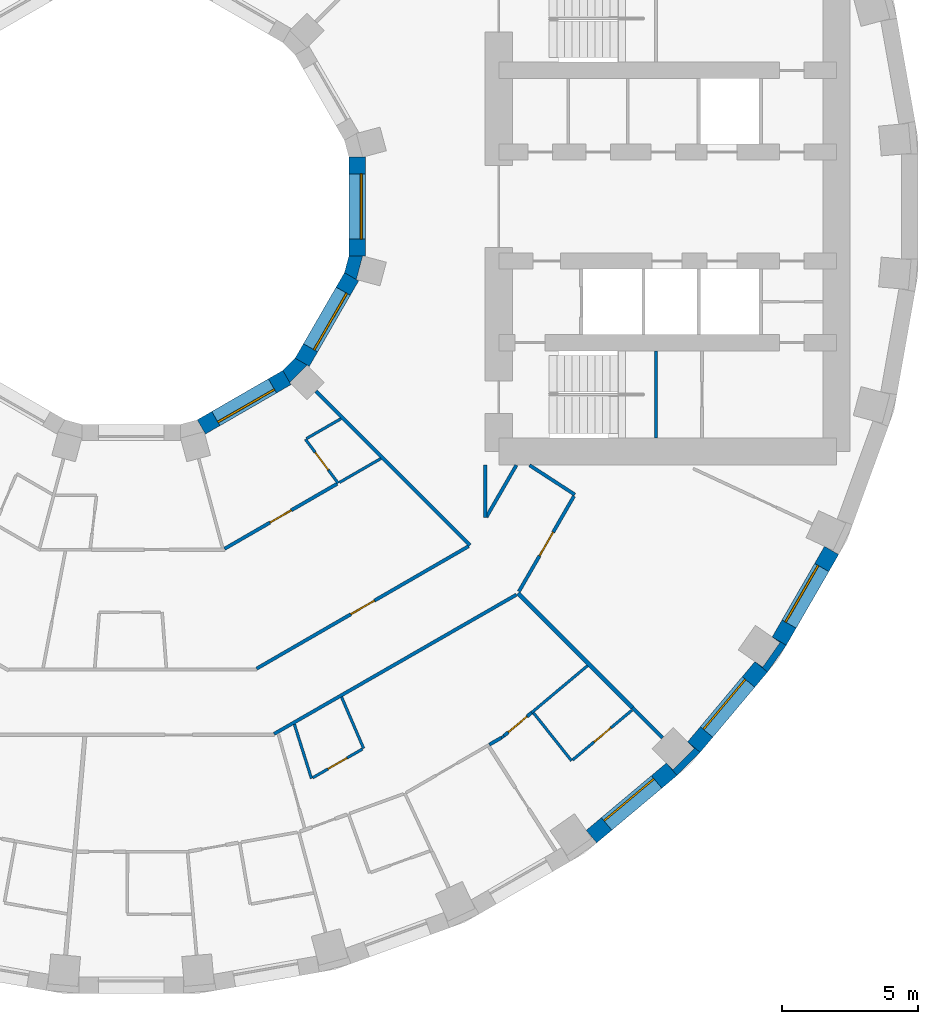
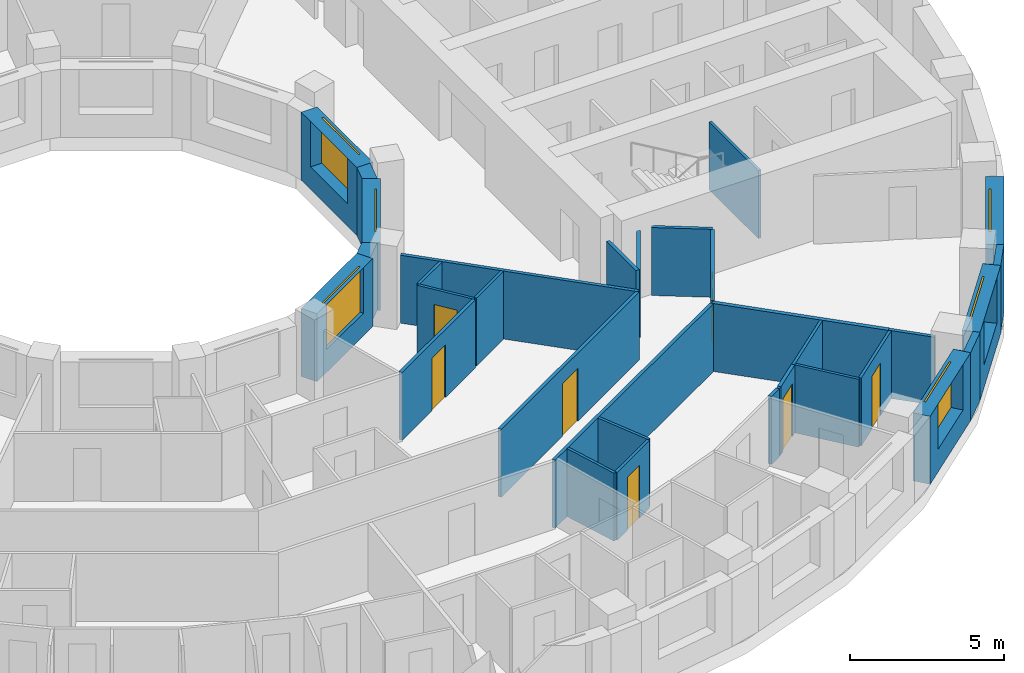
# One storey, part 8 of 15: 33 walls, 7 doors, 6 windows, 13 openings.
"""IFC4 building model written with IfcOpenShell, lengths in metres."""

from ifc_helpers import new_model, si_unit, direction, frame, frame_2d, origin, place, context, subcontext, project, spatial, polyline, rectangle, outline, extrude, material, layer, layer_set, type_object, element, fill, save


model = new_model("IFC4")

# Units and contexts
model_context = context("Model", 3, precision=1e-05, world=origin(), true_north=direction((0.0, 1.0)))
body_context = subcontext(model_context, "Body", "Model", "MODEL_VIEW")
ifc_project = project(units=[si_unit("LENGTHUNIT", "METRE"), si_unit("AREAUNIT", "SQUARE_METRE"), si_unit("VOLUMEUNIT", "CUBIC_METRE"), si_unit("PLANEANGLEUNIT", "RADIAN"), si_unit("MASSUNIT", "GRAM", prefix="KILO")], contexts=[model_context])

# Site, building, storey
site_placement = place(None, origin())
site = spatial("IfcSite", under=ifc_project, at=site_placement, CompositionType="ELEMENT")
building_placement = place(site_placement, origin())
building = spatial("IfcBuilding", under=site, at=building_placement, Name="Saqina Gate Tower", CompositionType="ELEMENT")
storey_placement = place(building_placement, frame((0.0, 0.0, 79.10009765625)))
storey = spatial("IfcBuildingStorey", under=building, at=storey_placement, Name="L22", CompositionType="ELEMENT", Elevation=79.10009765625)

# Walls
ifc_material_1 = material(Name="Brick masonry (red)", Category="masonry")
wall_type_1 = type_object("IfcWallType", Name="BRICK PIER COPING RED", PredefinedType="SOLIDWALL", material=ifc_material_1)
wall_1_placement = place(storey_placement, origin())
element("IfcWall", 1, at=wall_1_placement, inside=storey, type_object=wall_type_1, Name="Pier cap L22 column 32", PredefinedType="SOLIDWALL", context=body_context, shape_type="SweptSolid", body=[
    extrude(outline(polyline([(20.894775390625, -20.04296875), (20.43505859375, -19.6572265625), (20.682861328125, -19.905029296875), (19.905029296875, -20.682861328125), (19.6572265625, -20.43505859375), (20.04296875, -20.894775390625), (20.894775390625, -20.04296875)])), origin(), (0.0, 0.0, 1.0), 2.699951171875),
])
wall_2_placement = place(storey_placement, origin())
element("IfcWall", 2, at=wall_2_placement, inside=storey, type_object=wall_type_1, Name="Pier cap L22 column 33", PredefinedType="SOLIDWALL", context=body_context, shape_type="SweptSolid", body=[
    extrude(outline(polyline([(23.36669921875, -17.096923828125), (24.0576171875, -16.110107421875), (23.5380859375, -15.81005859375), (23.8251953125, -16.010986328125), (23.194091796875, -16.912109375), (22.9072265625, -16.711181640625), (23.36669921875, -17.096923828125)])), origin(), (0.0, 0.0, 1.0), 2.699951171875),
])

# Wall, opening, window
ifc_material_2 = material(Name="Brick masonry (red)", Category="masonry")
ifc_layer_1 = layer(ifc_material_2, 0.60009765625)
ifc_layer_set_1 = layer_set([ifc_layer_1], Name="FW-BRICK-RED")
wall_type_2 = type_object("IfcWallType", Name="FW-BRICK-RED", PredefinedType="SOLIDWALL", material=ifc_layer_set_1)
wall_3_placement = place(storey_placement, frame((16.904052734375, -23.136962890625, 0.0), z_axis=(0.0, 0.0, 1.0), x_axis=(0.766026164483, 0.642809392687, 0.0)))
wall_3 = element("IfcWall", 3, at=wall_3_placement, inside=storey, type_object=wall_type_2, Name="Facade wall L22 facet 31", PredefinedType="SOLIDWALL", context=body_context, shape_type="SweptSolid", body=[
    extrude(rectangle(XDim=3.845947265625, YDim=0.60009765625, at=frame_2d((1.9228515625, 0.0))), origin(), (0.0, 0.0, 1.0), 2.699951171875),
])
opening_1_placement = place(wall_3_placement, frame((0.722900390625, 0.0, 0.89990234375)))
opening_1 = element("IfcOpeningElement", 4, at=opening_1_placement, cuts=wall_3, Name="Opening G06-W20", PredefinedType="OPENING", context=body_context, shape_type="SweptSolid", body=[
    extrude(rectangle(XDim=2.39990234375, YDim=1.800048828125, at=frame_2d((1.199951171875, 0.89990234375))), frame((0.0, 0.31201171875, 0.0), z_axis=(0.0, -1.0, 0.0), x_axis=(1.0, 0.0, 0.0)), (0.0, 0.0, 1.0), 0.6240234375),
])
ifc_material_3 = material(Name="Aluminium glazing", Category="aluminium")
window_type_1 = type_object("IfcWindowType", Name="WN-A", PartitioningType="SINGLE_PANEL", PredefinedType="WINDOW", material=ifc_material_3)
window_1_placement = place(opening_1_placement, origin())
window_1 = element("IfcWindow", 5, at=window_1_placement, inside=storey, type_object=window_type_1, Name="Window L22 facet 31", OverallHeight=1.800048828125, OverallWidth=2.39990234375, PartitioningType="SINGLE_PANEL", PredefinedType="WINDOW", context=body_context, shape_type="SweptSolid", body=[
    extrude(rectangle(XDim=2.39990234375, YDim=1.800048828125, at=frame_2d((1.199951171875, 0.89990234375))), frame((0.0, 0.179931640625, 0.0), z_axis=(0.0, -1.0, 0.0), x_axis=(1.0, 0.0, 0.0)), (0.0, 0.0, 1.0), 0.06005859375),
])
fill(opening_1, window_1)

wall_4_placement = place(storey_placement, frame((20.664794921875, -19.85009765625, 0.0), z_axis=(0.0, 0.0, 1.0), x_axis=(0.642809392687, 0.766026164483, 0.0)))
wall_4 = element("IfcWall", 6, at=wall_4_placement, inside=storey, type_object=wall_type_2, Name="Facade wall L22 facet 32", PredefinedType="SOLIDWALL", context=body_context, shape_type="SweptSolid", body=[
    extrude(rectangle(XDim=3.845947265625, YDim=0.60009765625, at=frame_2d((1.9228515625, 0.0))), origin(), (0.0, 0.0, 1.0), 2.699951171875),
])
opening_2_placement = place(wall_4_placement, frame((0.722900390625, 0.0, 0.89990234375)))
opening_2 = element("IfcOpeningElement", 7, at=opening_2_placement, cuts=wall_4, Name="Opening G06-W21", PredefinedType="OPENING", context=body_context, shape_type="SweptSolid", body=[
    extrude(rectangle(XDim=2.39990234375, YDim=1.800048828125, at=frame_2d((1.199951171875, 0.89990234375))), frame((0.0, 0.31201171875, 0.0), z_axis=(0.0, -1.0, 0.0), x_axis=(1.0, 0.0, 0.0)), (0.0, 0.0, 1.0), 0.6240234375),
])
window_2_placement = place(opening_2_placement, origin())
window_2 = element("IfcWindow", 8, at=window_2_placement, inside=storey, type_object=window_type_1, Name="Window L22 facet 32", OverallHeight=1.800048828125, OverallWidth=2.39990234375, PartitioningType="SINGLE_PANEL", PredefinedType="WINDOW", context=body_context, shape_type="SweptSolid", body=[
    extrude(rectangle(XDim=2.39990234375, YDim=1.800048828125, at=frame_2d((1.199951171875, 0.89990234375))), frame((0.0, 0.179931640625, 0.0), z_axis=(0.0, -1.0, 0.0), x_axis=(1.0, 0.0, 0.0)), (0.0, 0.0, 1.0), 0.06005859375),
])
fill(opening_2, window_2)

wall_5_placement = place(storey_placement, frame((23.7978515625, -15.960205078125, 0.0), z_axis=(0.0, 0.0, 1.0), x_axis=(0.499989888488, 0.86603124159, 0.0)))
wall_5 = element("IfcWall", 9, at=wall_5_placement, inside=storey, type_object=wall_type_2, Name="Facade wall L22 facet 33", PredefinedType="SOLIDWALL", context=body_context, shape_type="SweptSolid", body=[
    extrude(rectangle(XDim=3.845703125, YDim=0.60009765625, at=frame_2d((1.9228515625, 0.0))), origin(), (0.0, 0.0, 1.0), 2.699951171875),
])
opening_3_placement = place(wall_5_placement, frame((0.722900390625, 0.0, 0.89990234375)))
opening_3 = element("IfcOpeningElement", 10, at=opening_3_placement, cuts=wall_5, Name="Opening G06-W22", PredefinedType="OPENING", context=body_context, shape_type="SweptSolid", body=[
    extrude(rectangle(XDim=2.39990234375, YDim=1.800048828125, at=frame_2d((1.199951171875, 0.89990234375))), frame((0.0, 0.31201171875, 0.0), z_axis=(0.0, -1.0, 0.0), x_axis=(1.0, 0.0, 0.0)), (0.0, 0.0, 1.0), 0.6240234375),
])
window_3_placement = place(opening_3_placement, origin())
window_3 = element("IfcWindow", 11, at=window_3_placement, inside=storey, type_object=window_type_1, Name="Window L22 facet 33", OverallHeight=1.800048828125, OverallWidth=2.39990234375, PartitioningType="SINGLE_PANEL", PredefinedType="WINDOW", context=body_context, shape_type="SweptSolid", body=[
    extrude(rectangle(XDim=2.39990234375, YDim=1.800048828125, at=frame_2d((1.199951171875, 0.89990234375))), frame((0.0, 0.179931640625, 0.0), z_axis=(0.0, -1.0, 0.0), x_axis=(1.0, 0.0, 0.0)), (0.0, 0.0, 1.0), 0.06005859375),
])
fill(opening_3, window_3)

ifc_material_4 = material(Name="Glazed ceramic tile", Category="ceramic")
ifc_layer_2 = layer(ifc_material_4, 0.60009765625)
ifc_layer_set_2 = layer_set([ifc_layer_2], Name="IW-TILE")
wall_type_3 = type_object("IfcWallType", Name="IW-TILE", PredefinedType="SOLIDWALL", material=ifc_layer_set_2)
wall_6_placement = place(storey_placement, frame((2.580322265625, -8.09423828125, 0.0), z_axis=(0.0, 0.0, 1.0), x_axis=(0.866029693906, 0.499992569217, 0.0)))
wall_6 = element("IfcWall", 12, at=wall_6_placement, inside=storey, type_object=wall_type_3, Name="Well wall L22 facet 10", PredefinedType="SOLIDWALL", context=body_context, shape_type="SweptSolid", body=[
    extrude(rectangle(XDim=3.625, YDim=0.60009765625, at=frame_2d((1.8125, 0.0))), origin(), (0.0, 0.0, 1.0), 2.699951171875),
])
opening_4_placement = place(wall_6_placement, frame((0.612548828125, 0.0, 0.89990234375)))
opening_4 = element("IfcOpeningElement", 13, at=opening_4_placement, cuts=wall_6, Name="Opening G06-W32", PredefinedType="OPENING", context=body_context, shape_type="SweptSolid", body=[
    extrude(rectangle(XDim=2.39990234375, YDim=1.800048828125, at=frame_2d((1.199951171875, 0.89990234375))), frame((0.0, 0.31201171875, 0.0), z_axis=(0.0, -1.0, 0.0), x_axis=(1.0, 0.0, 0.0)), (0.0, 0.0, 1.0), 0.6240234375),
])
ifc_material_5 = material(Name="Aluminium glazing", Category="aluminium")
window_type_2 = type_object("IfcWindowType", Name="WN-W", PartitioningType="SINGLE_PANEL", PredefinedType="WINDOW", material=ifc_material_5)
window_4_placement = place(opening_4_placement, origin())
window_4 = element("IfcWindow", 14, at=window_4_placement, inside=storey, type_object=window_type_2, Name="Well window L22 facet 10", OverallHeight=1.800048828125, OverallWidth=2.39990234375, PartitioningType="SINGLE_PANEL", PredefinedType="WINDOW", context=body_context, shape_type="SweptSolid", body=[
    extrude(rectangle(XDim=2.39990234375, YDim=1.800048828125, at=frame_2d((1.199951171875, 0.89990234375))), frame((0.0, -0.119873046875, 0.0), z_axis=(0.0, -1.0, 0.0), x_axis=(1.0, 0.0, 0.0)), (0.0, 0.0, 1.0), 0.06005859375),
])
fill(opening_4, window_4)

wall_7_placement = place(storey_placement, frame((6.28173828125, -5.7197265625, 0.0), z_axis=(0.0, 0.0, 1.0), x_axis=(0.499992569217, 0.866029693906, 0.0)))
wall_7 = element("IfcWall", 15, at=wall_7_placement, inside=storey, type_object=wall_type_3, Name="Well wall L22 facet 11", PredefinedType="SOLIDWALL", context=body_context, shape_type="SweptSolid", body=[
    extrude(rectangle(XDim=3.625, YDim=0.60009765625, at=frame_2d((1.8125, 0.0))), origin(), (0.0, 0.0, 1.0), 2.699951171875),
])
opening_5_placement = place(wall_7_placement, frame((0.612548828125, 0.0, 0.89990234375)))
opening_5 = element("IfcOpeningElement", 16, at=opening_5_placement, cuts=wall_7, Name="Opening G06-W33", PredefinedType="OPENING", context=body_context, shape_type="SweptSolid", body=[
    extrude(rectangle(XDim=2.39990234375, YDim=1.800048828125, at=frame_2d((1.199951171875, 0.89990234375))), frame((0.0, 0.31201171875, 0.0), z_axis=(0.0, -1.0, 0.0), x_axis=(1.0, 0.0, 0.0)), (0.0, 0.0, 1.0), 0.6240234375),
])
window_5_placement = place(opening_5_placement, origin())
window_5 = element("IfcWindow", 17, at=window_5_placement, inside=storey, type_object=window_type_2, Name="Well window L22 facet 11", OverallHeight=1.800048828125, OverallWidth=2.39990234375, PartitioningType="SINGLE_PANEL", PredefinedType="WINDOW", context=body_context, shape_type="SweptSolid", body=[
    extrude(rectangle(XDim=2.39990234375, YDim=1.800048828125, at=frame_2d((1.199951171875, 0.89990234375))), frame((0.0, -0.119873046875, 0.0), z_axis=(0.0, -1.0, 0.0), x_axis=(1.0, 0.0, 0.0)), (0.0, 0.0, 1.0), 0.06005859375),
])
fill(opening_5, window_5)

wall_8_placement = place(storey_placement, frame((8.300048828125, -1.8125, 0.0), z_axis=(0.0, 0.0, 1.0), x_axis=(0.0, 1.0, 0.0)))
wall_8 = element("IfcWall", 18, at=wall_8_placement, inside=storey, type_object=wall_type_3, Name="Well wall L22 facet 12", PredefinedType="SOLIDWALL", context=body_context, shape_type="SweptSolid", body=[
    extrude(rectangle(XDim=3.625, YDim=0.60009765625, at=frame_2d((1.8125, 0.0))), origin(), (0.0, 0.0, 1.0), 2.699951171875),
])
opening_6_placement = place(wall_8_placement, frame((0.612548828125, 0.0, 0.89990234375)))
opening_6 = element("IfcOpeningElement", 19, at=opening_6_placement, cuts=wall_8, Name="Opening G06-W34", PredefinedType="OPENING", context=body_context, shape_type="SweptSolid", body=[
    extrude(rectangle(XDim=2.39990234375, YDim=1.800048828125, at=frame_2d((1.199951171875, 0.89990234375))), frame((0.0, 0.31201171875, 0.0), z_axis=(0.0, -1.0, 0.0), x_axis=(1.0, 0.0, 0.0)), (0.0, 0.0, 1.0), 0.6240234375),
])
window_6_placement = place(opening_6_placement, origin())
window_6 = element("IfcWindow", 20, at=window_6_placement, inside=storey, type_object=window_type_2, Name="Well window L22 facet 12", OverallHeight=1.800048828125, OverallWidth=2.39990234375, PartitioningType="SINGLE_PANEL", PredefinedType="WINDOW", context=body_context, shape_type="SweptSolid", body=[
    extrude(rectangle(XDim=2.39990234375, YDim=1.800048828125, at=frame_2d((1.199951171875, 0.89990234375))), frame((0.0, -0.119873046875, 0.0), z_axis=(0.0, -1.0, 0.0), x_axis=(1.0, 0.0, 0.0)), (0.0, 0.0, 1.0), 0.06005859375),
])
fill(opening_6, window_6)

# Walls
ifc_material_6 = material(Name="Gypsum board on steel studs, 100 mm", Category="steel")
ifc_layer_3 = layer(ifc_material_6, 0.10009765625)
ifc_layer_set_3 = layer_set([ifc_layer_3], Name="PARTITION 100")
wall_type_4 = type_object("IfcWallType", Name="PARTITION 100", PredefinedType="PARTITIONING", material=ifc_layer_set_3)
wall_9_placement = place(storey_placement, frame((5.993896484375, -19.010986328125, 0.0), z_axis=(0.0, 0.0, 1.0), x_axis=(0.30075653294, -0.953700953074, 0.0)))
element("IfcWall", 21, at=wall_9_placement, inside=storey, type_object=wall_type_4, Name="PARTITION PW3-11", PredefinedType="PARTITIONING", context=body_context, shape_type="SweptSolid", body=[
    extrude(rectangle(XDim=2.088623046875, YDim=0.10009765625, at=frame_2d((1.04443359375, 0.0))), origin(), (0.0, 0.0, 1.0), 2.699951171875),
])
wall_10_placement = place(storey_placement, frame((7.726806640625, -18.01171875, 0.0), z_axis=(0.0, 0.0, 1.0), x_axis=(0.394206404495, -0.919021931542, 0.0)))
element("IfcWall", 22, at=wall_10_placement, inside=storey, type_object=wall_type_4, Name="PARTITION PW3-16", PredefinedType="PARTITIONING", context=body_context, shape_type="SweptSolid", body=[
    extrude(rectangle(XDim=2.052490234375, YDim=0.10009765625, at=frame_2d((1.0263671875, 0.0))), origin(), (0.0, 0.0, 1.0), 2.699951171875),
])

# Wall, opening, door
wall_11_placement = place(storey_placement, frame((6.39697265625, -8.5458984375, 0.0), z_axis=(0.0, 0.0, 1.0), x_axis=(0.599127127914, -0.800653910624, 0.0)))
wall_11 = element("IfcWall", 23, at=wall_11_placement, inside=storey, type_object=wall_type_4, Name="PARTITION PW3-27", PredefinedType="PARTITIONING", context=body_context, shape_type="SweptSolid", body=[
    extrude(rectangle(XDim=2.0146484375, YDim=0.10009765625, at=frame_2d((1.00732421875, 0.0))), origin(), (0.0, 0.0, 1.0), 2.699951171875),
])
opening_7_placement = place(wall_11_placement, frame((0.607421875, 0.0, 0.0)))
opening_7 = element("IfcOpeningElement", 24, at=opening_7_placement, cuts=wall_11, Name="Opening G06-D69", PredefinedType="OPENING", context=body_context, shape_type="SweptSolid", body=[
    extrude(rectangle(XDim=0.800048828125, YDim=2.10009765625, at=frame_2d((0.39990234375, 1.050048828125))), frame((0.0, 0.06201171875, 0.0), z_axis=(0.0, -1.0, 0.0), x_axis=(1.0, 0.0, 0.0)), (0.0, 0.0, 1.0), 0.1240234375),
])
ifc_material_7 = material(Name="Timber door leaf, 800 mm", Category="wood")
door_type_1 = type_object("IfcDoorType", Name="DOOR 800 TIMBER", OperationType="SINGLE_SWING_LEFT", PredefinedType="DOOR", material=ifc_material_7)
door_1_placement = place(opening_7_placement, frame((0.800048828125, 0.0, 0.0), z_axis=(0.0, 0.0, 1.0), x_axis=(-1.0, 0.0, 0.0)))
door_1 = element("IfcDoor", 25, at=door_1_placement, inside=storey, type_object=door_type_1, Name="DOOR G06-D69", OperationType="SINGLE_SWING_LEFT", OverallHeight=2.10009765625, OverallWidth=0.800048828125, PredefinedType="DOOR", context=body_context, shape_type="SweptSolid", body=[
    extrude(rectangle(XDim=0.800048828125, YDim=2.10009765625, at=frame_2d((0.39990234375, 1.050048828125))), frame((0.0, 0.02490234375, 0.0), z_axis=(0.0, -1.0, 0.0), x_axis=(1.0, 0.0, 0.0)), (0.0, 0.0, 1.0), 0.050048828125),
])
fill(opening_7, door_1)

# Walls
wall_12_placement = place(storey_placement, frame((14.774169921875, -18.59326171875, 0.0), z_axis=(0.0, 0.0, 1.0), x_axis=(0.622124779816, -0.782918104491, 0.0)))
element("IfcWall", 26, at=wall_12_placement, inside=storey, type_object=wall_type_4, Name="PARTITION PW3-28", PredefinedType="PARTITIONING", context=body_context, shape_type="SweptSolid", body=[
    extrude(rectangle(XDim=2.250244140625, YDim=0.10009765625, at=frame_2d((1.125, 0.0))), origin(), (0.0, 0.0, 1.0), 2.699951171875),
])
wall_13_placement = place(storey_placement, frame((13.5966796875, -19.5048828125, 0.0), z_axis=(0.0, 0.0, 1.0), x_axis=(0.86665063443, 0.498915501706, 0.0)))
element("IfcWall", 27, at=wall_13_placement, inside=storey, type_object=wall_type_4, Name="PARTITION PW3-74", PredefinedType="PARTITIONING", context=body_context, shape_type="SweptSolid", body=[
    extrude(rectangle(XDim=0.113525390625, YDim=0.10009765625, at=frame_2d((0.056640625, 0.0))), origin(), (0.0, 0.0, 1.0), 2.699951171875),
])

# Wall, opening, door
wall_14_placement = place(storey_placement, frame((6.665283203125, -20.97802734375, 0.0), z_axis=(0.0, 0.0, 1.0), x_axis=(0.866048788483, 0.499959494327, 0.0)))
wall_14 = element("IfcWall", 28, at=wall_14_placement, inside=storey, type_object=wall_type_4, Name="PARTITION PW3-75", PredefinedType="PARTITIONING", context=body_context, shape_type="SweptSolid", body=[
    extrude(rectangle(XDim=2.110107421875, YDim=0.10009765625, at=frame_2d((1.05517578125, 0.0))), origin(), (0.0, 0.0, 1.0), 2.699951171875),
])
opening_8_placement = place(wall_14_placement, frame((0.655029296875, 0.0, 0.0)))
opening_8 = element("IfcOpeningElement", 29, at=opening_8_placement, cuts=wall_14, Name="Opening G06-D62", PredefinedType="OPENING", context=body_context, shape_type="SweptSolid", body=[
    extrude(rectangle(XDim=0.800048828125, YDim=2.10009765625, at=frame_2d((0.39990234375, 1.050048828125))), frame((0.0, 0.06201171875, 0.0), z_axis=(0.0, -1.0, 0.0), x_axis=(1.0, 0.0, 0.0)), (0.0, 0.0, 1.0), 0.1240234375),
])
door_2_placement = place(opening_8_placement, frame((0.800048828125, 0.0, 0.0), z_axis=(0.0, 0.0, 1.0), x_axis=(-1.0, 0.0, 0.0)))
door_2 = element("IfcDoor", 30, at=door_2_placement, inside=storey, type_object=door_type_1, Name="DOOR G06-D62", OperationType="SINGLE_SWING_RIGHT", OverallHeight=2.10009765625, OverallWidth=0.800048828125, PredefinedType="DOOR", context=body_context, shape_type="SweptSolid", body=[
    extrude(rectangle(XDim=0.800048828125, YDim=2.10009765625, at=frame_2d((0.39990234375, 1.050048828125))), frame((0.0, 0.02490234375, 0.0), z_axis=(0.0, -1.0, 0.0), x_axis=(1.0, 0.0, 0.0)), (0.0, 0.0, 1.0), 0.050048828125),
])
fill(opening_8, door_2)

# Walls
wall_15_placement = place(storey_placement, frame((7.647216796875, -10.134033203125, 0.0), z_axis=(0.0, 0.0, 1.0), x_axis=(0.86608153646, 0.499902762748, 0.0)))
element("IfcWall", 31, at=wall_15_placement, inside=storey, type_object=wall_type_4, Name="PARTITION PW3-76", PredefinedType="PARTITIONING", context=body_context, shape_type="SweptSolid", body=[
    extrude(rectangle(XDim=1.758056640625, YDim=0.10009765625, at=frame_2d((0.87890625, 0.0))), origin(), (0.0, 0.0, 1.0), 2.699951171875),
])
wall_16_placement = place(storey_placement, frame((6.4404296875, -8.52099609375, 0.0), z_axis=(0.0, 0.0, 1.0), x_axis=(0.866271831494, 0.499572931572, 0.0)))
element("IfcWall", 32, at=wall_16_placement, inside=storey, type_object=wall_type_4, Name="PARTITION PW3-77", PredefinedType="PARTITIONING", context=body_context, shape_type="SweptSolid", body=[
    extrude(rectangle(XDim=1.460693359375, YDim=0.10009765625, at=frame_2d((0.73046875, 0.0))), origin(), (0.0, 0.0, 1.0), 2.699951171875),
])

# Wall, opening, door
wall_17_placement = place(storey_placement, frame((16.21240234375, -20.32275390625, 0.0), z_axis=(0.0, 0.0, 1.0), x_axis=(0.766232462385, 0.642563470474, 0.0)))
wall_17 = element("IfcWall", 33, at=wall_17_placement, inside=storey, type_object=wall_type_4, Name="PARTITION PW3-88", PredefinedType="PARTITIONING", context=body_context, shape_type="SweptSolid", body=[
    extrude(rectangle(XDim=2.8427734375, YDim=0.10009765625, at=frame_2d((1.42138671875, 0.0))), origin(), (0.0, 0.0, 1.0), 2.699951171875),
])
opening_9_placement = place(wall_17_placement, frame((1.033935546875, 0.0, 0.0)))
opening_9 = element("IfcOpeningElement", 34, at=opening_9_placement, cuts=wall_17, Name="Opening G06-D70", PredefinedType="OPENING", context=body_context, shape_type="SweptSolid", body=[
    extrude(rectangle(XDim=0.800048828125, YDim=2.10009765625, at=frame_2d((0.39990234375, 1.050048828125))), frame((0.0, 0.06201171875, 0.0), z_axis=(0.0, -1.0, 0.0), x_axis=(1.0, 0.0, 0.0)), (0.0, 0.0, 1.0), 0.1240234375),
])
door_3_placement = place(opening_9_placement, frame((0.800048828125, 0.0, 0.0), z_axis=(0.0, 0.0, 1.0), x_axis=(-1.0, 0.0, 0.0)))
door_3 = element("IfcDoor", 35, at=door_3_placement, inside=storey, type_object=door_type_1, Name="DOOR G06-D70", OperationType="SINGLE_SWING_LEFT", OverallHeight=2.10009765625, OverallWidth=0.800048828125, PredefinedType="DOOR", context=body_context, shape_type="SweptSolid", body=[
    extrude(rectangle(XDim=0.800048828125, YDim=2.10009765625, at=frame_2d((0.39990234375, 1.050048828125))), frame((0.0, 0.02490234375, 0.0), z_axis=(0.0, -1.0, 0.0), x_axis=(1.0, 0.0, 0.0)), (0.0, 0.0, 1.0), 0.050048828125),
])
fill(opening_9, door_3)

# Walls
wall_18_placement = place(storey_placement, frame((14.704345703125, -18.5859375, 0.0), z_axis=(0.0, 0.0, 1.0), x_axis=(0.765999084346, 0.642841662294, 0.0)))
element("IfcWall", 36, at=wall_18_placement, inside=storey, type_object=wall_type_4, Name="PARTITION PW3-89", PredefinedType="PARTITIONING", context=body_context, shape_type="SweptSolid", body=[
    extrude(rectangle(XDim=2.68017578125, YDim=0.10009765625, at=frame_2d((1.340087890625, 0.0))), origin(), (0.0, 0.0, 1.0), 2.699951171875),
])
ifc_material_8 = material(Name="Gypsum board on steel studs, 125 mm, fire rated", Category="steel")
ifc_layer_4 = layer(ifc_material_8, 0.125)
ifc_layer_set_4 = layer_set([ifc_layer_4], Name="PARTITION EI 30 125")
wall_type_5 = type_object("IfcWallType", Name="PARTITION EI 30 125", PredefinedType="PARTITIONING", material=ifc_layer_set_4)
wall_19_placement = place(storey_placement, frame((6.78271484375, -6.78271484375, 0.0), z_axis=(0.0, 0.0, 1.0), x_axis=(0.707106781187, -0.707106781187, 0.0)))
element("IfcWall", 37, at=wall_19_placement, inside=storey, type_object=wall_type_5, Name="PARTITION PW1-14", PredefinedType="PARTITIONING", context=body_context, shape_type="SweptSolid", body=[
    extrude(rectangle(XDim=8.0078125, YDim=0.125, at=frame_2d((4.00390625, 0.0))), origin(), (0.0, 0.0, 1.0), 2.699951171875),
])
wall_20_placement = place(storey_placement, frame((18.40380859375, -18.40380859375, 0.0), z_axis=(0.0, 0.0, 1.0), x_axis=(0.707106781187, -0.707106781187, 0.0)))
element("IfcWall", 38, at=wall_20_placement, inside=storey, type_object=wall_type_5, Name="PARTITION PW1-15", PredefinedType="PARTITIONING", context=body_context, shape_type="SweptSolid", body=[
    extrude(rectangle(XDim=1.56298828125, YDim=0.125, at=frame_2d((0.781494140625, 0.0))), origin(), (0.0, 0.0, 1.0), 2.699951171875),
])
wall_21_placement = place(storey_placement, frame((14.62890625, -9.5, 0.0), z_axis=(0.0, 0.0, 1.0), x_axis=(0.838803325008, -0.544434552499, 0.0)))
element("IfcWall", 39, at=wall_21_placement, inside=storey, type_object=wall_type_5, Name="PARTITION PW1-19", PredefinedType="PARTITIONING", context=body_context, shape_type="SweptSolid", body=[
    extrude(rectangle(XDim=1.98388671875, YDim=0.125, at=frame_2d((0.991943359375, 0.0))), origin(), (0.0, 0.0, 1.0), 2.699951171875),
])
wall_22_placement = place(storey_placement, frame((5.251220703125, -19.366943359375, 0.0), z_axis=(0.0, 0.0, 1.0), x_axis=(0.86701914354, 0.498274828519, 0.0)))
element("IfcWall", 40, at=wall_22_placement, inside=storey, type_object=wall_type_5, Name="PARTITION PW1-42", PredefinedType="PARTITIONING", context=body_context, shape_type="SweptSolid", body=[
    extrude(rectangle(XDim=10.259033203125, YDim=0.125, at=frame_2d((5.12939453125, 0.0))), origin(), (0.0, 0.0, 1.0), 2.699951171875),
])
wall_23_placement = place(storey_placement, frame((13.154296875, -19.760986328125, 0.0), z_axis=(0.0, 0.0, 1.0), x_axis=(0.865644253932, 0.500659590574, 0.0)))
element("IfcWall", 41, at=wall_23_placement, inside=storey, type_object=wall_type_5, Name="PARTITION PW1-44", PredefinedType="PARTITIONING", context=body_context, shape_type="SweptSolid", body=[
    extrude(rectangle(XDim=0.510986328125, YDim=0.125, at=frame_2d((0.25537109375, 0.0))), origin(), (0.0, 0.0, 1.0), 2.699951171875),
])

# Wall, opening, door
wall_24_placement = place(storey_placement, frame((4.609130859375, -16.96875, 0.0), z_axis=(0.0, 0.0, 1.0), x_axis=(0.866042609802, 0.499970197119, 0.0)))
wall_24 = element("IfcWall", 42, at=wall_24_placement, inside=storey, type_object=wall_type_5, Name="PARTITION PW1-45", PredefinedType="PARTITIONING", context=body_context, shape_type="SweptSolid", body=[
    extrude(rectangle(XDim=8.9853515625, YDim=0.125, at=frame_2d((4.49267578125, 0.0))), origin(), (0.0, 0.0, 1.0), 2.699951171875),
])
opening_10_placement = place(wall_24_placement, frame((3.99267578125, 0.0, 0.0)))
opening_10 = element("IfcOpeningElement", 43, at=opening_10_placement, cuts=wall_24, Name="Opening G06-D66", PredefinedType="OPENING", context=body_context, shape_type="SweptSolid", body=[
    extrude(rectangle(XDim=1.0, YDim=2.10009765625, at=frame_2d((0.5, 1.050048828125))), frame((0.0, 0.074462890625, 0.0), z_axis=(0.0, -1.0, 0.0), x_axis=(1.0, 0.0, 0.0)), (0.0, 0.0, 1.0), 0.14892578125),
])
ifc_material_9 = material(Name="Fire door leaf EI 30, 1000 mm")
door_type_2 = type_object("IfcDoorType", Name="DOOR 1000 EI 30", OperationType="SINGLE_SWING_LEFT", PredefinedType="DOOR", material=ifc_material_9)
door_4_placement = place(opening_10_placement, origin())
door_4 = element("IfcDoor", 44, at=door_4_placement, inside=storey, type_object=door_type_2, Name="DOOR G06-D66", OperationType="SINGLE_SWING_LEFT", OverallHeight=2.10009765625, OverallWidth=1.0, PredefinedType="DOOR", context=body_context, shape_type="SweptSolid", body=[
    extrude(rectangle(XDim=1.0, YDim=2.10009765625, at=frame_2d((0.5, 1.050048828125))), frame((0.0, 0.02490234375, 0.0), z_axis=(0.0, -1.0, 0.0), x_axis=(1.0, 0.0, 0.0)), (0.0, 0.0, 1.0), 0.050048828125),
])
fill(opening_10, door_4)

wall_25_placement = place(storey_placement, frame((3.43017578125, -12.56884765625, 0.0), z_axis=(0.0, 0.0, 1.0), x_axis=(0.866029597382, 0.499992736405, 0.0)))
wall_25 = element("IfcWall", 45, at=wall_25_placement, inside=storey, type_object=wall_type_5, Name="PARTITION PW1-46", PredefinedType="PARTITIONING", context=body_context, shape_type="SweptSolid", body=[
    extrude(rectangle(XDim=4.76953125, YDim=0.125, at=frame_2d((2.384765625, 0.0))), origin(), (0.0, 0.0, 1.0), 2.699951171875),
])
opening_11_placement = place(wall_25_placement, frame((1.928466796875, 0.0, 0.0)))
opening_11 = element("IfcOpeningElement", 46, at=opening_11_placement, cuts=wall_25, Name="Opening G06-D64", PredefinedType="OPENING", context=body_context, shape_type="SweptSolid", body=[
    extrude(rectangle(XDim=0.89990234375, YDim=2.10009765625, at=frame_2d((0.449951171875, 1.050048828125))), frame((0.0, 0.074462890625, 0.0), z_axis=(0.0, -1.0, 0.0), x_axis=(1.0, 0.0, 0.0)), (0.0, 0.0, 1.0), 0.14892578125),
])
ifc_material_10 = material(Name="Fire door leaf EI 30, 900 mm")
door_type_3 = type_object("IfcDoorType", Name="DOOR 900 EI 30", OperationType="SINGLE_SWING_LEFT", PredefinedType="DOOR", material=ifc_material_10)
door_5_placement = place(opening_11_placement, frame((0.89990234375, 0.0, 0.0), z_axis=(0.0, 0.0, 1.0), x_axis=(-1.0, 0.0, 0.0)))
door_5 = element("IfcDoor", 47, at=door_5_placement, inside=storey, type_object=door_type_3, Name="DOOR G06-D64", OperationType="SINGLE_SWING_RIGHT", OverallHeight=2.10009765625, OverallWidth=0.89990234375, PredefinedType="DOOR", context=body_context, shape_type="SweptSolid", body=[
    extrude(rectangle(XDim=0.89990234375, YDim=2.10009765625, at=frame_2d((0.449951171875, 1.050048828125))), frame((0.0, 0.02490234375, 0.0), z_axis=(0.0, -1.0, 0.0), x_axis=(1.0, 0.0, 0.0)), (0.0, 0.0, 1.0), 0.050048828125),
])
fill(opening_11, door_5)

wall_26_placement = place(storey_placement, frame((13.68798828125, -19.439697265625, 0.0), z_axis=(0.0, 0.0, 1.0), x_axis=(0.765864266058, 0.643002275249, 0.0)))
wall_26 = element("IfcWall", 48, at=wall_26_placement, inside=storey, type_object=wall_type_5, Name="PARTITION PW1-51", PredefinedType="PARTITIONING", context=body_context, shape_type="SweptSolid", body=[
    extrude(rectangle(XDim=1.327392578125, YDim=0.125, at=frame_2d((0.66357421875, 0.0))), origin(), (0.0, 0.0, 1.0), 2.699951171875),
])
opening_12_placement = place(wall_26_placement, frame((0.20751953125, 0.0, 0.0)))
opening_12 = element("IfcOpeningElement", 49, at=opening_12_placement, cuts=wall_26, Name="Opening G06-D68", PredefinedType="OPENING", context=body_context, shape_type="SweptSolid", body=[
    extrude(rectangle(XDim=0.89990234375, YDim=2.10009765625, at=frame_2d((0.449951171875, 1.050048828125))), frame((0.0, 0.074462890625, 0.0), z_axis=(0.0, -1.0, 0.0), x_axis=(1.0, 0.0, 0.0)), (0.0, 0.0, 1.0), 0.14892578125),
])
door_6_placement = place(opening_12_placement, origin())
door_6 = element("IfcDoor", 50, at=door_6_placement, inside=storey, type_object=door_type_3, Name="DOOR G06-D68", OperationType="SINGLE_SWING_LEFT", OverallHeight=2.10009765625, OverallWidth=0.89990234375, PredefinedType="DOOR", context=body_context, shape_type="SweptSolid", body=[
    extrude(rectangle(XDim=0.89990234375, YDim=2.10009765625, at=frame_2d((0.449951171875, 1.050048828125))), frame((0.0, 0.02490234375, 0.0), z_axis=(0.0, -1.0, 0.0), x_axis=(1.0, 0.0, 0.0)), (0.0, 0.0, 1.0), 0.050048828125),
])
fill(opening_12, door_6)

wall_27_placement = place(storey_placement, frame((14.239501953125, -14.136962890625, 0.0), z_axis=(0.0, 0.0, 1.0), x_axis=(0.499962802816, 0.866046878523, 0.0)))
wall_27 = element("IfcWall", 51, at=wall_27_placement, inside=storey, type_object=wall_type_5, Name="PARTITION PW1-55", PredefinedType="PARTITIONING", context=body_context, shape_type="SweptSolid", body=[
    extrude(rectangle(XDim=4.044677734375, YDim=0.125, at=frame_2d((2.0224609375, 0.0))), origin(), (0.0, 0.0, 1.0), 2.699951171875),
])
opening_13_placement = place(wall_27_placement, frame((1.51611328125, 0.0, 0.0)))
opening_13 = element("IfcOpeningElement", 52, at=opening_13_placement, cuts=wall_27, Name="Opening G06-D71", PredefinedType="OPENING", context=body_context, shape_type="SweptSolid", body=[
    extrude(rectangle(XDim=1.0, YDim=2.10009765625, at=frame_2d((0.5, 1.050048828125))), frame((0.0, 0.074462890625, 0.0), z_axis=(0.0, -1.0, 0.0), x_axis=(1.0, 0.0, 0.0)), (0.0, 0.0, 1.0), 0.14892578125),
])
door_7_placement = place(opening_13_placement, origin())
door_7 = element("IfcDoor", 53, at=door_7_placement, inside=storey, type_object=door_type_2, Name="DOOR G06-D71", OperationType="SINGLE_SWING_LEFT", OverallHeight=2.10009765625, OverallWidth=1.0, PredefinedType="DOOR", context=body_context, shape_type="SweptSolid", body=[
    extrude(rectangle(XDim=1.0, YDim=2.10009765625, at=frame_2d((0.5, 1.050048828125))), frame((0.0, 0.02490234375, 0.0), z_axis=(0.0, -1.0, 0.0), x_axis=(1.0, 0.0, 0.0)), (0.0, 0.0, 1.0), 0.050048828125),
])
fill(opening_13, door_7)

# Walls
wall_28_placement = place(storey_placement, frame((13.044921875, -11.405029296875, 0.0), z_axis=(0.0, 0.0, 1.0), x_axis=(0.500077893725, 0.86598042715, 0.0)))
element("IfcWall", 54, at=wall_28_placement, inside=storey, type_object=wall_type_5, Name="PARTITION PW1-56", PredefinedType="PARTITIONING", context=body_context, shape_type="SweptSolid", body=[
    extrude(rectangle(XDim=2.199951171875, YDim=0.125, at=frame_2d((1.10009765625, 0.0))), origin(), (0.0, 0.0, 1.0), 2.699951171875),
])
wall_29_placement = place(storey_placement, frame((13.0, -11.42041015625, 0.0), z_axis=(0.0, 0.0, 1.0), x_axis=(0.0, 1.0, 0.0)))
element("IfcWall", 55, at=wall_29_placement, inside=storey, type_object=wall_type_5, Name="PARTITION PW1-60", PredefinedType="PARTITIONING", context=body_context, shape_type="SweptSolid", body=[
    extrude(rectangle(XDim=1.92041015625, YDim=0.125, at=frame_2d((0.960205078125, 0.0))), origin(), (0.0, 0.0, 1.0), 2.699951171875),
])
ifc_material_11 = material(Name="Gypsum board on steel studs, 150 mm, fire rated", Category="steel")
ifc_layer_5 = layer(ifc_material_11, 0.14990234375)
ifc_layer_set_5 = layer_set([ifc_layer_5], Name="PARTITION EI 60 150")
wall_type_6 = type_object("IfcWallType", Name="PARTITION EI 60 150", PredefinedType="PARTITIONING", material=ifc_layer_set_5)
wall_30_placement = place(storey_placement, frame((14.201904296875, -14.201904296875, 0.0), z_axis=(0.0, 0.0, 1.0), x_axis=(0.707106781187, -0.707106781187, 0.0)))
element("IfcWall", 56, at=wall_30_placement, inside=storey, type_object=wall_type_6, Name="PARTITION PW2-03", PredefinedType="PARTITIONING", context=body_context, shape_type="SweptSolid", body=[
    extrude(rectangle(XDim=5.9423828125, YDim=0.14990234375, at=frame_2d((2.97119140625, 0.0))), origin(), (0.0, 0.0, 1.0), 2.699951171875),
])
ifc_material_12 = material(Name="Autoclaved aerated concrete block", Category="concrete")
ifc_layer_6 = layer(ifc_material_12, 0.10009765625)
ifc_layer_set_6 = layer_set([ifc_layer_6], Name="STAIR ENCLOSURE WALL")
wall_type_7 = type_object("IfcWallType", Name="STAIR ENCLOSURE WALL", PredefinedType="PARTITIONING", material=ifc_layer_set_6)
wall_31_placement = place(storey_placement, frame((19.27001953125, -8.5, 0.0), z_axis=(0.0, 0.0, 1.0), x_axis=(0.0, 1.0, 0.0)))
element("IfcWall", 57, at=wall_31_placement, inside=storey, type_object=wall_type_7, Name="L22-CP-E11", PredefinedType="PARTITIONING", context=body_context, shape_type="SweptSolid", body=[
    extrude(rectangle(XDim=3.199951171875, YDim=0.10009765625, at=frame_2d((1.60009765625, 0.0))), origin(), (0.0, 0.0, 1.0), 2.699951171875),
])
ifc_material_13 = material(Name="Glazed ceramic tile", Category="ceramic")
wall_type_8 = type_object("IfcWallType", Name="TILE PIER COPING", PredefinedType="SOLIDWALL", material=ifc_material_13)
wall_32_placement = place(storey_placement, origin())
element("IfcWall", 58, at=wall_32_placement, inside=storey, type_object=wall_type_8, Name="Well pier cap L22 column 11", PredefinedType="SOLIDWALL", context=body_context, shape_type="SweptSolid", body=[
    extrude(outline(polyline([(5.821044921875, -6.45751953125), (6.45751953125, -5.821044921875), (6.02197265625, -5.569580078125), (5.569580078125, -6.02197265625), (5.821044921875, -6.45751953125)])), origin(), (0.0, 0.0, 1.0), 2.699951171875),
])
wall_33_placement = place(storey_placement, origin())
element("IfcWall", 59, at=wall_33_placement, inside=storey, type_object=wall_type_8, Name="Well pier cap L22 column 12", PredefinedType="SOLIDWALL", context=body_context, shape_type="SweptSolid", body=[
    extrude(outline(polyline([(8.502685546875, -1.8125), (8.0, -1.8125), (7.83447265625, -2.430419921875), (8.27001953125, -2.681884765625), (8.502685546875, -1.8125)])), origin(), (0.0, 0.0, 1.0), 2.699951171875),
])

save(model, "model.ifc")
